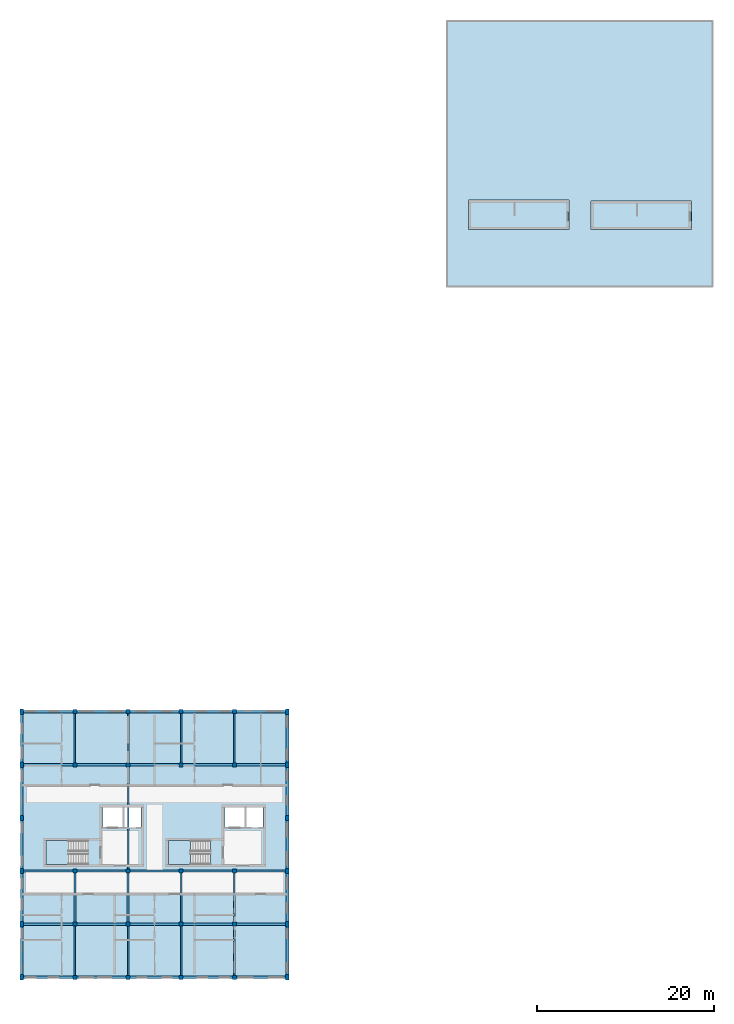
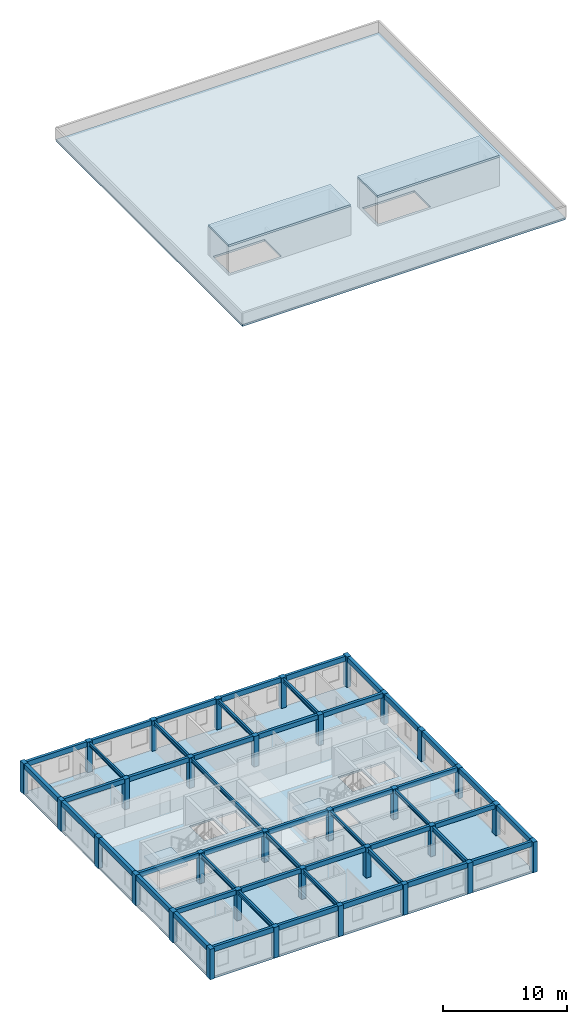
# One storey, part 1 of 9: 48 beams, 32 columns, 6 slabs, 2 elements without a shape of their own.
"""IFC4 building model written with IfcOpenShell, lengths in metres."""

from ifc_helpers import new_model, si_unit, direction, frame, origin, origin_2d, place, context, subcontext, project, spatial, polyline, rectangle, i_section, outline, extrude, material, layer, layer_set, material_profile, profile_set, type_object, element, aggregate, save


model = new_model("IFC4")

# Units and contexts
model_context = context("Model", 3, precision=1e-05, world=origin(), true_north=direction((0.0, 1.0)))
body_context = subcontext(model_context, "Body", "Model", "MODEL_VIEW")
ifc_project = project(units=[si_unit("LENGTHUNIT", "METRE"), si_unit("AREAUNIT", "SQUARE_METRE"), si_unit("VOLUMEUNIT", "CUBIC_METRE"), si_unit("PLANEANGLEUNIT", "RADIAN"), si_unit("MASSUNIT", "GRAM", prefix="KILO"), si_unit("POWERUNIT", "WATT"), si_unit("THERMODYNAMICTEMPERATUREUNIT", "KELVIN")], contexts=[model_context])

# Site, building, storey
site_placement = place(None, origin())
site = spatial("IfcSite", under=ifc_project, at=site_placement, CompositionType="ELEMENT")
building_placement = place(site_placement, origin())
building = spatial("IfcBuilding", under=site, at=building_placement, Name="Ruvembo Vaulted Housing Court", CompositionType="ELEMENT")
storey_placement = place(building_placement, frame((0.0, 0.0, 36.5)))
storey = spatial("IfcBuildingStorey", under=building, at=storey_placement, Name="L11", CompositionType="ELEMENT", Elevation=36.5)

# Columns
ifc_material_1 = material(Name="Concrete C35/45", Category="concrete")
ifc_material_profile_1 = material_profile(ifc_material_1, rectangle(XDim=0.39990234375, YDim=0.60009765625, at=origin_2d()), Name="RC 400x600")
ifc_profile_set_1 = profile_set([ifc_material_profile_1], Name="Concrete C35/45")
column_type_1 = type_object("IfcColumnType", Name="COL-RC-400x600", PredefinedType="COLUMN", material=ifc_profile_set_1)
for number, where, z_axis, x_axis, name in (
    (1, (0.0, 6.0, 0.0), (0.0, 0.0, 1.0), (1.0, 0.0, 0.0), "L11 Column (0,6)"),
    (2, (0.0, 12.0, 0.0), (0.0, 0.0, 1.0), (1.0, 0.0, 0.0), "L11 Column (0,12)"),
    (3, (0.0, 18.0, 0.0), (0.0, 0.0, 1.0), (1.0, 0.0, 0.0), "L11 Column (0,18)"),
    (4, (0.0, 24.0, 0.0), (0.0, 0.0, 1.0), (1.0, 0.0, 0.0), "L11 Column (0,24)"),
    (5, (0.0, 30.0, 0.0), (0.0, 0.0, 1.0), (1.0, 0.0, 0.0), "L11 Column (0,30)"),
    (6, (0.0, 36.0, 0.0), (0.0, 0.0, 1.0), (1.0, 0.0, 0.0), "L11 Column (0,36)"),
    (7, (30.0, 6.0, 0.0), (0.0, 0.0, 1.0), (1.0, 0.0, 0.0), "L11 Column (30,6)"),
    (8, (30.0, 12.0, 0.0), (0.0, 0.0, 1.0), (1.0, 0.0, 0.0), "L11 Column (30,12)"),
    (9, (30.0, 18.0, 0.0), (0.0, 0.0, 1.0), (1.0, 0.0, 0.0), "L11 Column (30,18)"),
    (10, (30.0, 24.0, 0.0), (0.0, 0.0, 1.0), (1.0, 0.0, 0.0), "L11 Column (30,24)"),
    (11, (30.0, 30.0, 0.0), (0.0, 0.0, 1.0), (1.0, 0.0, 0.0), "L11 Column (30,30)"),
    (12, (30.0, 36.0, 0.0), (0.0, 0.0, 1.0), (1.0, 0.0, 0.0), "L11 Column (30,36)"),
):
    element("IfcColumn", number, at=place(storey_placement, frame(where, z_axis=z_axis, x_axis=x_axis)), inside=storey, type_object=column_type_1, Name=name, PredefinedType="COLUMN", context=body_context, shape_type="SweptSolid", body=[
        extrude(rectangle(XDim=0.39990234375, YDim=0.60009765625, at=origin_2d()), origin(), (0.0, 0.0, 1.0), 2.9951171875),
    ])
ifc_material_profile_2 = material_profile(ifc_material_1, rectangle(XDim=0.449951171875, YDim=0.449951171875, at=origin_2d()), Name="RC 450x450")
ifc_profile_set_2 = profile_set([ifc_material_profile_2], Name="Concrete C35/45")
column_type_2 = type_object("IfcColumnType", Name="COL-RC-450", PredefinedType="COLUMN", material=ifc_profile_set_2)
for number, where, z_axis, x_axis, name in (
    (13, (6.0, 6.0, 0.0), (0.0, 0.0, 1.0), (1.0, 0.0, 0.0), "L11 Column (6,6)"),
    (14, (6.0, 12.0, 0.0), (0.0, 0.0, 1.0), (1.0, 0.0, 0.0), "L11 Column (6,12)"),
    (15, (6.0, 18.0, 0.0), (0.0, 0.0, 1.0), (1.0, 0.0, 0.0), "L11 Column (6,18)"),
    (16, (6.0, 30.0, 0.0), (0.0, 0.0, 1.0), (1.0, 0.0, 0.0), "L11 Column (6,30)"),
    (17, (6.0, 36.0, 0.0), (0.0, 0.0, 1.0), (1.0, 0.0, 0.0), "L11 Column (6,36)"),
    (18, (12.0, 6.0, 0.0), (0.0, 0.0, 1.0), (1.0, 0.0, 0.0), "L11 Column (12,6)"),
    (19, (12.0, 12.0, 0.0), (0.0, 0.0, 1.0), (1.0, 0.0, 0.0), "L11 Column (12,12)"),
    (20, (12.0, 18.0, 0.0), (0.0, 0.0, 1.0), (1.0, 0.0, 0.0), "L11 Column (12,18)"),
    (21, (12.0, 30.0, 0.0), (0.0, 0.0, 1.0), (1.0, 0.0, 0.0), "L11 Column (12,30)"),
    (22, (12.0, 36.0, 0.0), (0.0, 0.0, 1.0), (1.0, 0.0, 0.0), "L11 Column (12,36)"),
    (23, (18.0, 6.0, 0.0), (0.0, 0.0, 1.0), (1.0, 0.0, 0.0), "L11 Column (18,6)"),
    (24, (18.0, 12.0, 0.0), (0.0, 0.0, 1.0), (1.0, 0.0, 0.0), "L11 Column (18,12)"),
    (25, (18.0, 18.0, 0.0), (0.0, 0.0, 1.0), (1.0, 0.0, 0.0), "L11 Column (18,18)"),
    (26, (18.0, 30.0, 0.0), (0.0, 0.0, 1.0), (1.0, 0.0, 0.0), "L11 Column (18,30)"),
    (27, (18.0, 36.0, 0.0), (0.0, 0.0, 1.0), (1.0, 0.0, 0.0), "L11 Column (18,36)"),
    (28, (24.0, 6.0, 0.0), (0.0, 0.0, 1.0), (1.0, 0.0, 0.0), "L11 Column (24,6)"),
    (29, (24.0, 12.0, 0.0), (0.0, 0.0, 1.0), (1.0, 0.0, 0.0), "L11 Column (24,12)"),
    (30, (24.0, 18.0, 0.0), (0.0, 0.0, 1.0), (1.0, 0.0, 0.0), "L11 Column (24,18)"),
    (31, (24.0, 30.0, 0.0), (0.0, 0.0, 1.0), (1.0, 0.0, 0.0), "L11 Column (24,30)"),
    (32, (24.0, 36.0, 0.0), (0.0, 0.0, 1.0), (1.0, 0.0, 0.0), "L11 Column (24,36)"),
):
    element("IfcColumn", number, at=place(storey_placement, frame(where, z_axis=z_axis, x_axis=x_axis)), inside=storey, type_object=column_type_2, Name=name, PredefinedType="COLUMN", context=body_context, shape_type="SweptSolid", body=[
        extrude(rectangle(XDim=0.449951171875, YDim=0.449951171875, at=origin_2d()), origin(), (0.0, 0.0, 1.0), 2.9951171875),
    ])

# Beams
ifc_material_2 = material(Name="Concrete C30/37", Category="concrete")
ifc_material_profile_3 = material_profile(ifc_material_2, rectangle(XDim=0.25, YDim=0.449951171875, at=origin_2d()), Name="RC 250x450")
ifc_profile_set_3 = profile_set([ifc_material_profile_3], Name="Concrete C30/37")
beam_type_1 = type_object("IfcBeamType", Name="BM-RC-250x450", PredefinedType="BEAM", material=ifc_profile_set_3)
beam_1_placement = place(storey_placement, frame((0.18505859375, 12.0, 2.77001953125), z_axis=(1.0, 0.0, 0.0), x_axis=(0.0, 1.0, 0.0)))
element("IfcBeam", 33, at=beam_1_placement, inside=storey, type_object=beam_type_1, Name="L11 Grid Beam X #3342", PredefinedType="BEAM", context=body_context, shape_type="SweptSolid", body=[
    extrude(rectangle(XDim=0.25, YDim=0.449951171875, at=origin_2d()), origin(), (0.0, 0.0, 1.0), 5.60498046875),
])
for number, where, z_axis, x_axis, name in (
    (34, (6.2099609375, 12.0, 2.77001953125), (1.0, 0.0, 0.0), (0.0, 1.0, 0.0), "L11 Grid Beam X #3343"),
    (35, (12.2099609375, 12.0, 2.77001953125), (1.0, 0.0, 0.0), (0.0, 1.0, 0.0), "L11 Grid Beam X #3344"),
    (36, (18.2099609375, 12.0, 2.77001953125), (1.0, 0.0, 0.0), (0.0, 1.0, 0.0), "L11 Grid Beam X #3345"),
):
    element("IfcBeam", number, at=place(storey_placement, frame(where, z_axis=z_axis, x_axis=x_axis)), inside=storey, type_object=beam_type_1, Name=name, PredefinedType="BEAM", context=body_context, shape_type="SweptSolid", body=[
        extrude(rectangle(XDim=0.25, YDim=0.449951171875, at=origin_2d()), origin(), (0.0, 0.0, 1.0), 5.580078125),
    ])
for number, where, z_axis, x_axis, name in (
    (37, (24.2099609375, 12.0, 2.77001953125), (1.0, 0.0, 0.0), (0.0, 1.0, 0.0), "L11 Grid Beam X #3346"),
    (38, (0.18505859375, 18.0, 2.77001953125), (1.0, 0.0, 0.0), (0.0, 1.0, 0.0), "L11 Grid Beam X #3347"),
):
    element("IfcBeam", number, at=place(storey_placement, frame(where, z_axis=z_axis, x_axis=x_axis)), inside=storey, type_object=beam_type_1, Name=name, PredefinedType="BEAM", context=body_context, shape_type="SweptSolid", body=[
        extrude(rectangle(XDim=0.25, YDim=0.449951171875, at=origin_2d()), origin(), (0.0, 0.0, 1.0), 5.60498046875),
    ])
for number, where, z_axis, x_axis, name in (
    (39, (6.2099609375, 18.0, 2.77001953125), (1.0, 0.0, 0.0), (0.0, 1.0, 0.0), "L11 Grid Beam X #3348"),
    (40, (12.2099609375, 18.0, 2.77001953125), (1.0, 0.0, 0.0), (0.0, 1.0, 0.0), "L11 Grid Beam X #3349"),
    (41, (18.2099609375, 18.0, 2.77001953125), (1.0, 0.0, 0.0), (0.0, 1.0, 0.0), "L11 Grid Beam X #3350"),
):
    element("IfcBeam", number, at=place(storey_placement, frame(where, z_axis=z_axis, x_axis=x_axis)), inside=storey, type_object=beam_type_1, Name=name, PredefinedType="BEAM", context=body_context, shape_type="SweptSolid", body=[
        extrude(rectangle(XDim=0.25, YDim=0.449951171875, at=origin_2d()), origin(), (0.0, 0.0, 1.0), 5.580078125),
    ])
for number, where, z_axis, x_axis, name in (
    (42, (24.2099609375, 18.0, 2.77001953125), (1.0, 0.0, 0.0), (0.0, 1.0, 0.0), "L11 Grid Beam X #3351"),
    (43, (0.18505859375, 30.0, 2.77001953125), (1.0, 0.0, 0.0), (0.0, 1.0, 0.0), "L11 Grid Beam X #3352"),
):
    element("IfcBeam", number, at=place(storey_placement, frame(where, z_axis=z_axis, x_axis=x_axis)), inside=storey, type_object=beam_type_1, Name=name, PredefinedType="BEAM", context=body_context, shape_type="SweptSolid", body=[
        extrude(rectangle(XDim=0.25, YDim=0.449951171875, at=origin_2d()), origin(), (0.0, 0.0, 1.0), 5.60498046875),
    ])
for number, where, z_axis, x_axis, name in (
    (44, (6.2099609375, 30.0, 2.77001953125), (1.0, 0.0, 0.0), (0.0, 1.0, 0.0), "L11 Grid Beam X #3353"),
    (45, (12.2099609375, 30.0, 2.77001953125), (1.0, 0.0, 0.0), (0.0, 1.0, 0.0), "L11 Grid Beam X #3354"),
    (46, (18.2099609375, 30.0, 2.77001953125), (1.0, 0.0, 0.0), (0.0, 1.0, 0.0), "L11 Grid Beam X #3355"),
):
    element("IfcBeam", number, at=place(storey_placement, frame(where, z_axis=z_axis, x_axis=x_axis)), inside=storey, type_object=beam_type_1, Name=name, PredefinedType="BEAM", context=body_context, shape_type="SweptSolid", body=[
        extrude(rectangle(XDim=0.25, YDim=0.449951171875, at=origin_2d()), origin(), (0.0, 0.0, 1.0), 5.580078125),
    ])
beam_2_placement = place(storey_placement, frame((24.2099609375, 30.0, 2.77001953125), z_axis=(1.0, 0.0, 0.0), x_axis=(0.0, 1.0, 0.0)))
element("IfcBeam", 47, at=beam_2_placement, inside=storey, type_object=beam_type_1, Name="L11 Grid Beam X #3356", PredefinedType="BEAM", context=body_context, shape_type="SweptSolid", body=[
    extrude(rectangle(XDim=0.25, YDim=0.449951171875, at=origin_2d()), origin(), (0.0, 0.0, 1.0), 5.60498046875),
])
ifc_material_profile_4 = material_profile(ifc_material_2, rectangle(XDim=0.25, YDim=0.5, at=origin_2d()), Name="RC 250x500")
ifc_profile_set_4 = profile_set([ifc_material_profile_4], Name="Concrete C30/37")
beam_type_2 = type_object("IfcBeamType", Name="BM-RC-250x500", PredefinedType="BEAM", material=ifc_profile_set_4)
beam_3_placement = place(storey_placement, frame((0.18505859375, 6.0, 2.7451171875), z_axis=(1.0, 0.0, 0.0), x_axis=(0.0, 1.0, 0.0)))
element("IfcBeam", 48, at=beam_3_placement, inside=storey, type_object=beam_type_2, Name="L11 Grid Beam X #3337", PredefinedType="BEAM", context=body_context, shape_type="SweptSolid", body=[
    extrude(rectangle(XDim=0.25, YDim=0.5, at=origin_2d()), origin(), (0.0, 0.0, 1.0), 5.60498046875),
])
for number, where, z_axis, x_axis, name in (
    (49, (6.2099609375, 6.0, 2.7451171875), (1.0, 0.0, 0.0), (0.0, 1.0, 0.0), "L11 Grid Beam X #3338"),
    (50, (12.2099609375, 6.0, 2.7451171875), (1.0, 0.0, 0.0), (0.0, 1.0, 0.0), "L11 Grid Beam X #3339"),
    (51, (18.2099609375, 6.0, 2.7451171875), (1.0, 0.0, 0.0), (0.0, 1.0, 0.0), "L11 Grid Beam X #3340"),
):
    element("IfcBeam", number, at=place(storey_placement, frame(where, z_axis=z_axis, x_axis=x_axis)), inside=storey, type_object=beam_type_2, Name=name, PredefinedType="BEAM", context=body_context, shape_type="SweptSolid", body=[
        extrude(rectangle(XDim=0.25, YDim=0.5, at=origin_2d()), origin(), (0.0, 0.0, 1.0), 5.580078125),
    ])
for number, where, z_axis, x_axis, name in (
    (52, (24.2099609375, 6.0, 2.7451171875), (1.0, 0.0, 0.0), (0.0, 1.0, 0.0), "L11 Grid Beam X #3341"),
    (53, (0.18505859375, 36.0, 2.7451171875), (1.0, 0.0, 0.0), (0.0, 1.0, 0.0), "L11 Grid Beam X #3357"),
):
    element("IfcBeam", number, at=place(storey_placement, frame(where, z_axis=z_axis, x_axis=x_axis)), inside=storey, type_object=beam_type_2, Name=name, PredefinedType="BEAM", context=body_context, shape_type="SweptSolid", body=[
        extrude(rectangle(XDim=0.25, YDim=0.5, at=origin_2d()), origin(), (0.0, 0.0, 1.0), 5.60498046875),
    ])
for number, where, z_axis, x_axis, name in (
    (54, (6.2099609375, 36.0, 2.7451171875), (1.0, 0.0, 0.0), (0.0, 1.0, 0.0), "L11 Grid Beam X #3358"),
    (55, (12.2099609375, 36.0, 2.7451171875), (1.0, 0.0, 0.0), (0.0, 1.0, 0.0), "L11 Grid Beam X #3359"),
    (56, (18.2099609375, 36.0, 2.7451171875), (1.0, 0.0, 0.0), (0.0, 1.0, 0.0), "L11 Grid Beam X #3360"),
):
    element("IfcBeam", number, at=place(storey_placement, frame(where, z_axis=z_axis, x_axis=x_axis)), inside=storey, type_object=beam_type_2, Name=name, PredefinedType="BEAM", context=body_context, shape_type="SweptSolid", body=[
        extrude(rectangle(XDim=0.25, YDim=0.5, at=origin_2d()), origin(), (0.0, 0.0, 1.0), 5.580078125),
    ])
beam_4_placement = place(storey_placement, frame((24.2099609375, 36.0, 2.7451171875), z_axis=(1.0, 0.0, 0.0), x_axis=(0.0, 1.0, 0.0)))
element("IfcBeam", 57, at=beam_4_placement, inside=storey, type_object=beam_type_2, Name="L11 Grid Beam X #3361", PredefinedType="BEAM", context=body_context, shape_type="SweptSolid", body=[
    extrude(rectangle(XDim=0.25, YDim=0.5, at=origin_2d()), origin(), (0.0, 0.0, 1.0), 5.60498046875),
])
ifc_material_3 = material(Name="Steel S355J2", Category="steel")
ifc_material_profile_5 = material_profile(ifc_material_3, i_section(OverallWidth=0.169921875, OverallDepth=0.360107421875, WebThickness=0.008056640625, FlangeThickness=0.0126953125, FilletRadius=0.01806640625, at=origin_2d()), Name="IPE 360")
ifc_profile_set_5 = profile_set([ifc_material_profile_5], Name="Steel S355J2")
beam_type_3 = type_object("IfcBeamType", Name="BM-ST-IPE360", PredefinedType="BEAM", material=ifc_profile_set_5)
for number, where, z_axis, x_axis, name in (
    (58, (6.0, 30.2099609375, 2.74609375), (0.0, 1.0, 0.0), (-1.0, 0.0, 0.0), "L11 Grid Beam Y #3369"),
    (59, (18.0, 12.2099609375, 2.74609375), (0.0, 1.0, 0.0), (-1.0, 0.0, 0.0), "L11 Grid Beam Y #3375"),
    (60, (24.0, 12.2099609375, 2.74609375), (0.0, 1.0, 0.0), (-1.0, 0.0, 0.0), "L11 Grid Beam Y #3378"),
):
    element("IfcBeam", number, at=place(storey_placement, frame(where, z_axis=z_axis, x_axis=x_axis)), inside=storey, type_object=beam_type_3, Name=name, PredefinedType="BEAM", context=body_context, shape_type="SweptSolid", body=[
        extrude(i_section(OverallWidth=0.169921875, OverallDepth=0.360107421875, WebThickness=0.008056640625, FlangeThickness=0.0126953125, FilletRadius=0.01806640625, at=origin_2d()), origin(), (0.0, 0.0, 1.0), 5.580078125),
    ])
ifc_material_profile_6 = material_profile(ifc_material_3, i_section(OverallWidth=0.179931640625, OverallDepth=0.39990234375, WebThickness=0.008544921875, FlangeThickness=0.013427734375, FilletRadius=0.02099609375, at=origin_2d()), Name="IPE 400")
ifc_profile_set_6 = profile_set([ifc_material_profile_6], Name="Steel S355J2")
beam_type_4 = type_object("IfcBeamType", Name="BM-ST-IPE400", PredefinedType="BEAM", material=ifc_profile_set_6)
for number, where, z_axis, x_axis, name in (
    (61, (6.0, 6.2099609375, 2.72607421875), (0.0, 1.0, 0.0), (-1.0, 0.0, 0.0), "L11 Grid Beam Y #3367"),
    (62, (12.0, 6.2099609375, 2.72607421875), (0.0, 1.0, 0.0), (-1.0, 0.0, 0.0), "L11 Grid Beam Y #3370"),
):
    element("IfcBeam", number, at=place(storey_placement, frame(where, z_axis=z_axis, x_axis=x_axis)), inside=storey, type_object=beam_type_4, Name=name, PredefinedType="BEAM", context=body_context, shape_type="SweptSolid", body=[
        extrude(i_section(OverallWidth=0.179931640625, OverallDepth=0.39990234375, WebThickness=0.008544921875, FlangeThickness=0.013427734375, FilletRadius=0.02099609375, at=origin_2d()), origin(), (0.0, 0.0, 1.0), 5.580078125),
    ])
beam_5_placement = place(storey_placement, frame((12.0, 18.2099609375, 2.72607421875), z_axis=(0.0, 1.0, 0.0), x_axis=(-1.0, 0.0, 0.0)))
element("IfcBeam", 63, at=beam_5_placement, inside=storey, type_object=beam_type_4, Name="L11 Grid Beam Y #3372", PredefinedType="BEAM", context=body_context, shape_type="SweptSolid", body=[
    extrude(i_section(OverallWidth=0.179931640625, OverallDepth=0.39990234375, WebThickness=0.008544921875, FlangeThickness=0.013427734375, FilletRadius=0.02099609375, at=origin_2d()), origin(), (0.0, 0.0, 1.0), 11.580078125),
])
for number, where, z_axis, x_axis, name in (
    (64, (12.0, 30.2099609375, 2.72607421875), (0.0, 1.0, 0.0), (-1.0, 0.0, 0.0), "L11 Grid Beam Y #3373"),
    (65, (18.0, 30.2099609375, 2.72607421875), (0.0, 1.0, 0.0), (-1.0, 0.0, 0.0), "L11 Grid Beam Y #3376"),
    (66, (24.0, 30.2099609375, 2.72607421875), (0.0, 1.0, 0.0), (-1.0, 0.0, 0.0), "L11 Grid Beam Y #3379"),
):
    element("IfcBeam", number, at=place(storey_placement, frame(where, z_axis=z_axis, x_axis=x_axis)), inside=storey, type_object=beam_type_4, Name=name, PredefinedType="BEAM", context=body_context, shape_type="SweptSolid", body=[
        extrude(i_section(OverallWidth=0.179931640625, OverallDepth=0.39990234375, WebThickness=0.008544921875, FlangeThickness=0.013427734375, FilletRadius=0.02099609375, at=origin_2d()), origin(), (0.0, 0.0, 1.0), 5.580078125),
    ])
ifc_material_profile_7 = material_profile(ifc_material_3, i_section(OverallWidth=0.18994140625, OverallDepth=0.449951171875, WebThickness=0.009521484375, FlangeThickness=0.0146484375, FilletRadius=0.02099609375, at=origin_2d()), Name="IPE 450")
ifc_profile_set_7 = profile_set([ifc_material_profile_7], Name="Steel S355J2")
beam_type_5 = type_object("IfcBeamType", Name="BM-ST-IPE450", PredefinedType="BEAM", material=ifc_profile_set_7)
for number, where, z_axis, x_axis, name in (
    (67, (6.0, 12.2099609375, 2.700927734375), (0.0, 1.0, 0.0), (-1.0, 0.0, 0.0), "L11 Grid Beam Y #3368"),
    (68, (12.0, 12.2099609375, 2.700927734375), (0.0, 1.0, 0.0), (-1.0, 0.0, 0.0), "L11 Grid Beam Y #3371"),
    (69, (18.0, 6.2099609375, 2.700927734375), (0.0, 1.0, 0.0), (-1.0, 0.0, 0.0), "L11 Grid Beam Y #3374"),
    (70, (24.0, 6.2099609375, 2.700927734375), (0.0, 1.0, 0.0), (-1.0, 0.0, 0.0), "L11 Grid Beam Y #3377"),
):
    element("IfcBeam", number, at=place(storey_placement, frame(where, z_axis=z_axis, x_axis=x_axis)), inside=storey, type_object=beam_type_5, Name=name, PredefinedType="BEAM", context=body_context, shape_type="SweptSolid", body=[
        extrude(i_section(OverallWidth=0.18994140625, OverallDepth=0.449951171875, WebThickness=0.009521484375, FlangeThickness=0.0146484375, FilletRadius=0.02099609375, at=origin_2d()), origin(), (0.0, 0.0, 1.0), 5.580078125),
    ])
ifc_material_profile_8 = material_profile(ifc_material_1, rectangle(XDim=0.300048828125, YDim=0.5, at=origin_2d()), Name="RC 300x500")
ifc_profile_set_8 = profile_set([ifc_material_profile_8], Name="Concrete C35/45")
beam_type_6 = type_object("IfcBeamType", Name="SP-RC-300x500", PredefinedType="SPANDREL", material=ifc_profile_set_8)
for number, where, z_axis, x_axis, name in (
    (71, (0.0, 6.284912109375, 2.7451171875), (0.0, 1.0, 0.0), (-1.0, 0.0, 0.0), "L11 Grid Beam Y #3362"),
    (72, (0.0, 12.284912109375, 2.7451171875), (0.0, 1.0, 0.0), (-1.0, 0.0, 0.0), "L11 Grid Beam Y #3363"),
    (73, (0.0, 18.284912109375, 2.7451171875), (0.0, 1.0, 0.0), (-1.0, 0.0, 0.0), "L11 Grid Beam Y #3364"),
    (74, (0.0, 24.284912109375, 2.7451171875), (0.0, 1.0, 0.0), (-1.0, 0.0, 0.0), "L11 Grid Beam Y #3365"),
    (75, (0.0, 30.284912109375, 2.7451171875), (0.0, 1.0, 0.0), (-1.0, 0.0, 0.0), "L11 Grid Beam Y #3366"),
    (76, (30.0, 6.284912109375, 2.7451171875), (0.0, 1.0, 0.0), (-1.0, 0.0, 0.0), "L11 Grid Beam Y #3380"),
    (77, (30.0, 12.284912109375, 2.7451171875), (0.0, 1.0, 0.0), (-1.0, 0.0, 0.0), "L11 Grid Beam Y #3381"),
    (78, (30.0, 18.284912109375, 2.7451171875), (0.0, 1.0, 0.0), (-1.0, 0.0, 0.0), "L11 Grid Beam Y #3382"),
    (79, (30.0, 24.284912109375, 2.7451171875), (0.0, 1.0, 0.0), (-1.0, 0.0, 0.0), "L11 Grid Beam Y #3383"),
    (80, (30.0, 30.284912109375, 2.7451171875), (0.0, 1.0, 0.0), (-1.0, 0.0, 0.0), "L11 Grid Beam Y #3384"),
):
    element("IfcBeam", number, at=place(storey_placement, frame(where, z_axis=z_axis, x_axis=x_axis)), inside=storey, type_object=beam_type_6, Name=name, PredefinedType="SPANDREL", context=body_context, shape_type="SweptSolid", body=[
        extrude(rectangle(XDim=0.300048828125, YDim=0.5, at=origin_2d()), origin(), (0.0, 0.0, 1.0), 5.43017578125),
    ])

# Slab
ifc_layer_1 = layer(ifc_material_2, 0.2099609375, Name="Concrete C30/37")
ifc_layer_set_1 = layer_set([ifc_layer_1], Name="Concrete C30/37")
slab_type_1 = type_object("IfcSlabType", Name="SL-FLR-210", PredefinedType="FLOOR", material=ifc_layer_set_1)
slab_1_placement = place(storey_placement, frame((0.0, 0.0, -0.2099609375)))
element("IfcSlab", 81, at=slab_1_placement, inside=storey, type_object=slab_type_1, Name="Block A L11 Structural Floor Slab", PredefinedType="FLOOR", context=body_context, shape_type="SweptSolid", body=[
    extrude(outline(polyline([(30.0, 6.0), (30.0, 36.0), (0.0, 36.0), (0.0, 6.0), (30.0, 6.0)]), holes=[polyline([(7.5, 21.449951171875), (2.75, 21.449951171875), (2.75, 18.75), (7.5, 18.75), (7.5, 21.449951171875)]), polyline([(9.14990234375, 22.85009765625), (11.35009765625, 22.85009765625), (11.35009765625, 25.25), (9.14990234375, 25.25), (9.14990234375, 22.85009765625)]), polyline([(11.60009765625, 22.85009765625), (13.449951171875, 22.85009765625), (13.449951171875, 25.25), (11.60009765625, 25.25), (11.60009765625, 22.85009765625)]), polyline([(21.300048828125, 21.449951171875), (16.550048828125, 21.449951171875), (16.550048828125, 18.75), (21.300048828125, 18.75), (21.300048828125, 21.449951171875)]), polyline([(22.949951171875, 22.85009765625), (25.14990234375, 22.85009765625), (25.14990234375, 25.25), (22.949951171875, 25.25), (22.949951171875, 22.85009765625)]), polyline([(25.39990234375, 22.85009765625), (27.25, 22.85009765625), (27.25, 25.25), (25.39990234375, 25.25), (25.39990234375, 22.85009765625)])]), origin(), (0.0, 0.0, 1.0), 0.2099609375),
])

# Stair, slab
stair_type = type_object("IfcStairType", Name="STR-CORE-1250", PredefinedType="HALF_TURN_STAIR", material=ifc_material_1)
stair_1_placement = place(storey_placement, origin())
stair_1 = element("IfcStair", 82, at=stair_1_placement, inside=storey, type_object=stair_type, Name="L11 Protected Exit Stair ST-A1", PredefinedType="HALF_TURN_STAIR")
ifc_layer_2 = layer(ifc_material_2, 0.201904296875, Name="Concrete C30/37")
ifc_layer_set_2 = layer_set([ifc_layer_2], Name="Concrete C30/37")
slab_type_2 = type_object("IfcSlabType", Name="SL-LAND-202", PredefinedType="LANDING", material=ifc_layer_set_2)
slab_2_placement = place(storey_placement, frame((0.0, 0.0, 1.39990234375)))
slab_2 = element("IfcSlab", 83, at=slab_2_placement, type_object=slab_type_2, Name="ST-A1 landing 1", PredefinedType="LANDING", context=body_context, shape_type="SweptSolid", body=[
    extrude(outline(polyline([(5.260009765625, 21.449951171875), (2.75, 21.449951171875), (2.75, 18.75), (5.260009765625, 18.75), (5.260009765625, 21.449951171875)])), origin(), (0.0, 0.0, 1.0), 0.2001953125),
])
aggregate(stair_1, [slab_2])

stair_2_placement = place(storey_placement, origin())
stair_2 = element("IfcStair", 84, at=stair_2_placement, inside=storey, type_object=stair_type, Name="L11 Protected Exit Stair ST-A2", PredefinedType="HALF_TURN_STAIR")
slab_3_placement = place(storey_placement, frame((0.0, 0.0, 1.39990234375)))
slab_3 = element("IfcSlab", 85, at=slab_3_placement, type_object=slab_type_2, Name="ST-A2 landing 1", PredefinedType="LANDING", context=body_context, shape_type="SweptSolid", body=[
    extrude(outline(polyline([(19.06005859375, 21.449951171875), (16.550048828125, 21.449951171875), (16.550048828125, 18.75), (19.06005859375, 18.75), (19.06005859375, 21.449951171875)])), origin(), (0.0, 0.0, 1.0), 0.2001953125),
])
aggregate(stair_2, [slab_3])

# Slabs
ifc_layer_3 = layer(ifc_material_2, 0.195068359375, Name="Concrete C30/37")
ifc_layer_set_3 = layer_set([ifc_layer_3], Name="Concrete C30/37")
slab_type_3 = type_object("IfcSlabType", Name="SL-ROOF-195", PredefinedType="ROOF", material=ifc_layer_set_3)
slab_4_placement = place(storey_placement, frame((0.0, 0.0, -0.195068359375)))
element("IfcSlab", 86, at=slab_4_placement, inside=storey, type_object=slab_type_3, Name="Block B L11 Roof Slab", PredefinedType="ROOF", context=body_context, shape_type="SweptSolid", body=[
    extrude(outline(polyline([(78.0, 84.0), (78.0, 114.0), (48.0, 114.0), (48.0, 84.0), (78.0, 84.0)]), holes=[polyline([(55.5, 93.449951171875), (50.75, 93.449951171875), (50.75, 90.75), (55.5, 90.75), (55.5, 93.449951171875)]), polyline([(69.35009765625, 93.35009765625), (64.550048828125, 93.35009765625), (64.550048828125, 90.75), (69.35009765625, 90.75), (69.35009765625, 93.35009765625)])]), origin(), (0.0, 0.0, 1.0), 0.195068359375),
])
slab_5_placement = place(storey_placement, frame((0.0, 0.0, 2.85009765625)))
element("IfcSlab", 87, at=slab_5_placement, inside=storey, type_object=slab_type_3, Name="Core B1 L11 Headhouse Roof Slab", PredefinedType="ROOF", context=body_context, shape_type="SweptSolid", body=[
    extrude(outline(polyline([(50.449951171875, 90.449951171875), (61.800048828125, 90.449951171875), (61.800048828125, 93.75), (50.449951171875, 93.75), (50.449951171875, 90.449951171875)])), origin(), (0.0, 0.0, 1.0), 0.19482421875),
])
slab_6_placement = place(storey_placement, frame((0.0, 0.0, 2.85009765625)))
element("IfcSlab", 88, at=slab_6_placement, inside=storey, type_object=slab_type_3, Name="Core B2 L11 Headhouse Roof Slab", PredefinedType="ROOF", context=body_context, shape_type="SweptSolid", body=[
    extrude(outline(polyline([(64.25, 90.449951171875), (75.60009765625, 90.449951171875), (75.60009765625, 93.64990234375), (64.25, 93.64990234375), (64.25, 90.449951171875)])), origin(), (0.0, 0.0, 1.0), 0.19482421875),
])

save(model, "model.ifc")
